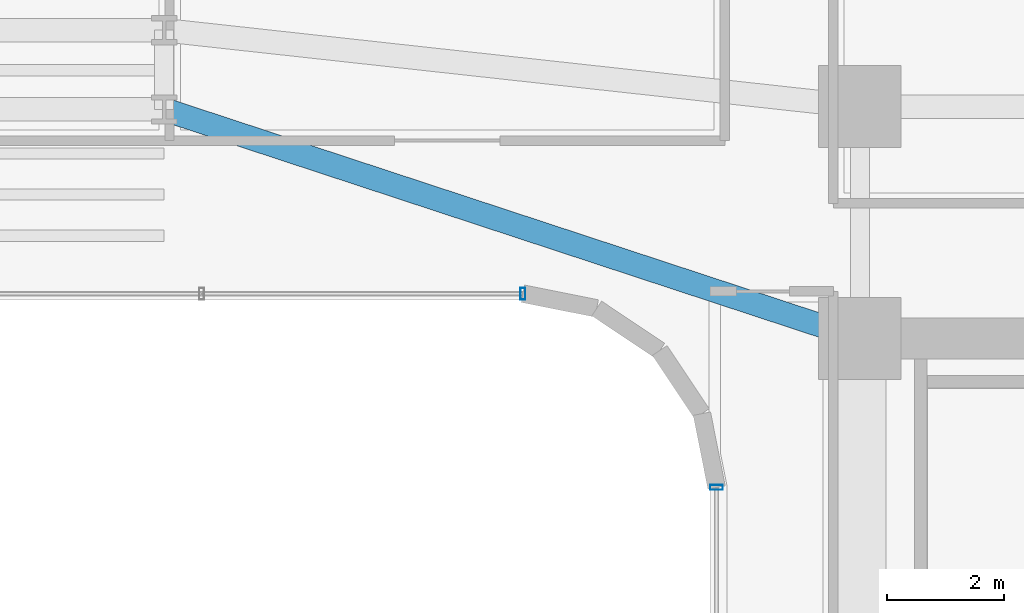
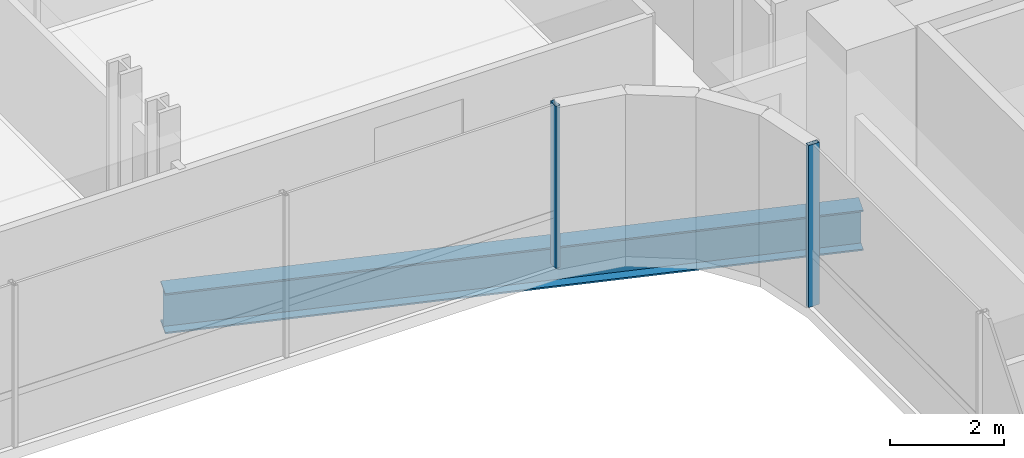
# One storey, part 15 of 39: 2 members, 1 beam, 2 elements without a shape of their own.
"""IFC4 building model written with IfcOpenShell, lengths in metres."""

from ifc_helpers import new_model, si_unit, direction, frame, origin, origin_2d, place, context, subcontext, project, spatial, hollow_rectangle, i_section, extrude, source, transform, mapped, material, material_profile, profile_set, type_object, element, aggregate, save


model = new_model("IFC4")

# Units and contexts
model_context = context("Model", 3, precision=1e-05, world=origin(), true_north=direction((0.0, 1.0)))
body_context = subcontext(model_context, "Body", "Model", "MODEL_VIEW")
ifc_project = project(units=[si_unit("LENGTHUNIT", "METRE"), si_unit("AREAUNIT", "SQUARE_METRE"), si_unit("VOLUMEUNIT", "CUBIC_METRE"), si_unit("PLANEANGLEUNIT", "RADIAN"), si_unit("MASSUNIT", "GRAM", prefix="KILO")], contexts=[model_context])

# Site, building, storey
site_placement = place(None, origin())
site = spatial("IfcSite", under=ifc_project, at=site_placement, CompositionType="ELEMENT")
building_placement = place(site_placement, origin())
building = spatial("IfcBuilding", under=site, at=building_placement, Name="Valdorenza Pilgrim Sanctuary Tower", CompositionType="ELEMENT")
storey_placement = place(building_placement, frame((0.0, 0.0, 77.800048828125)))
storey = spatial("IfcBuildingStorey", under=building, at=storey_placement, Name="L19", CompositionType="ELEMENT", Elevation=77.800048828125)

# Beam
ifc_material_1 = material(Name="Steel ASTM A992 Grade 50", Category="steel")
ifc_material_profile_1 = material_profile(ifc_material_1, i_section(OverallWidth=0.39990234375, OverallDepth=0.862060546875, WebThickness=0.019775390625, FlangeThickness=0.032470703125, at=origin_2d()), Name="W33X221")
ifc_profile_set_1 = profile_set([ifc_material_profile_1], Name="Steel ASTM A992 Grade 50")
beam_type = type_object("IfcBeamType", Name="STR-BM-GRD-W33", PredefinedType="BEAM", material=ifc_profile_set_1)
shared_shape_1 = source(origin(), body_context, "Body", "SweptSolid", [
    extrude(i_section(OverallWidth=0.39990234375, OverallDepth=0.862060546875, WebThickness=0.019775390625, FlangeThickness=0.032470703125, at=origin_2d()), origin(), (0.0, 0.0, 1.0), 12.475341796875),
])
beam_placement = place(storey_placement, frame((4.0, 13.449951171875, -0.671142578125), z_axis=(0.949881908141, -0.312608957943, 0.0), x_axis=(0.312608957943, 0.949881908141, 0.0)))
element("IfcBeam", 1, at=beam_placement, inside=storey, type_object=beam_type, Name="L19 Floor Girder KNK-G3", PredefinedType="BEAM", context=body_context, shape_type="MappedRepresentation", body=[
    mapped(shared_shape_1, transform((0.0, 0.0, 0.0), x_axis=(1.0, 0.0, 0.0), y_axis=(0.0, 1.0, 0.0), z_axis=(0.0, 0.0, 1.0), scale=1.0)),
])

# Curtain wall, member
ifc_material_2 = material(Name="Curtain-wall IGU glazing", Category="glass")
curtain_wall_type_1 = type_object("IfcCurtainWallType", Name="CW-SYS-02", PredefinedType="NOTDEFINED", material=ifc_material_2)
curtain_wall_1_placement = place(storey_placement, origin())
curtain_wall_1 = element("IfcCurtainWall", 2, at=curtain_wall_1_placement, inside=storey, type_object=curtain_wall_type_1, Name="L19 Curtain Wall CW-L19-1-36", PredefinedType="NOTDEFINED")
ifc_material_3 = material(Name="Anodised aluminium AW-6060", Category="aluminium")
ifc_material_profile_2 = material_profile(ifc_material_3, hollow_rectangle(XDim=0.0849609375, YDim=0.199951171875, WallThickness=0.0048828125, at=origin_2d()), Name="ALU-M 200x85x5")
ifc_profile_set_2 = profile_set([ifc_material_profile_2], Name="Anodised aluminium AW-6060")
member_type_1 = type_object("IfcMemberType", Name="CW-MUL-02", PredefinedType="MULLION", material=ifc_profile_set_2)
shared_shape_2 = source(origin(), body_context, "Body", "SweptSolid", [
    extrude(hollow_rectangle(XDim=0.0849609375, YDim=0.199951171875, WallThickness=0.0048828125, at=origin_2d()), origin(), (0.0, 0.0, 1.0), 3.4599609375),
])
member_1_placement = place(storey_placement, frame((10.11083984375, 10.31005859375, 0.0), z_axis=(0.0, 0.0, 1.0), x_axis=(-1.0, 0.0, 0.0)))
member_1 = element("IfcMember", 3, at=member_1_placement, type_object=member_type_1, Name="CW-L19-1-36 Mullion 1", PredefinedType="MULLION", context=body_context, shape_type="MappedRepresentation", body=[
    mapped(shared_shape_2, transform((0.0, 0.0, 0.0), x_axis=(1.0, 0.0, 0.0), y_axis=(0.0, 1.0, 0.0), z_axis=(0.0, 0.0, 1.0), scale=1.0)),
])
aggregate(curtain_wall_1, [member_1])

curtain_wall_type_2 = type_object("IfcCurtainWallType", Name="CW-SYS-03", PredefinedType="NOTDEFINED", material=ifc_material_2)
curtain_wall_2_placement = place(storey_placement, origin())
curtain_wall_2 = element("IfcCurtainWall", 4, at=curtain_wall_2_placement, inside=storey, type_object=curtain_wall_type_2, Name="L19 Curtain Wall CW-L19-1-31", PredefinedType="NOTDEFINED")
ifc_material_profile_3 = material_profile(ifc_material_3, hollow_rectangle(XDim=0.0849609375, YDim=0.219970703125, WallThickness=0.0048828125, at=origin_2d()), Name="ALU-M 220x85x5")
ifc_profile_set_3 = profile_set([ifc_material_profile_3], Name="Anodised aluminium AW-6060")
member_type_2 = type_object("IfcMemberType", Name="CW-MUL-03", PredefinedType="MULLION", material=ifc_profile_set_3)
shared_shape_3 = source(origin(), body_context, "Body", "SweptSolid", [
    extrude(hollow_rectangle(XDim=0.0849609375, YDim=0.219970703125, WallThickness=0.0048828125, at=origin_2d()), origin(), (0.0, 0.0, 1.0), 3.4599609375),
])
member_2_placement = place(storey_placement, frame((13.409912109375, 7.0107421875, 0.0), z_axis=(0.0, 0.0, 1.0), x_axis=(0.0, 1.0, 0.0)))
member_2 = element("IfcMember", 5, at=member_2_placement, type_object=member_type_2, Name="CW-L19-1-31 Mullion 4", PredefinedType="MULLION", context=body_context, shape_type="MappedRepresentation", body=[
    mapped(shared_shape_3, transform((0.0, 0.0, 0.0), x_axis=(1.0, 0.0, 0.0), y_axis=(0.0, 1.0, 0.0), z_axis=(0.0, 0.0, 1.0), scale=1.0)),
])
aggregate(curtain_wall_2, [member_2])

save(model, "model.ifc")
